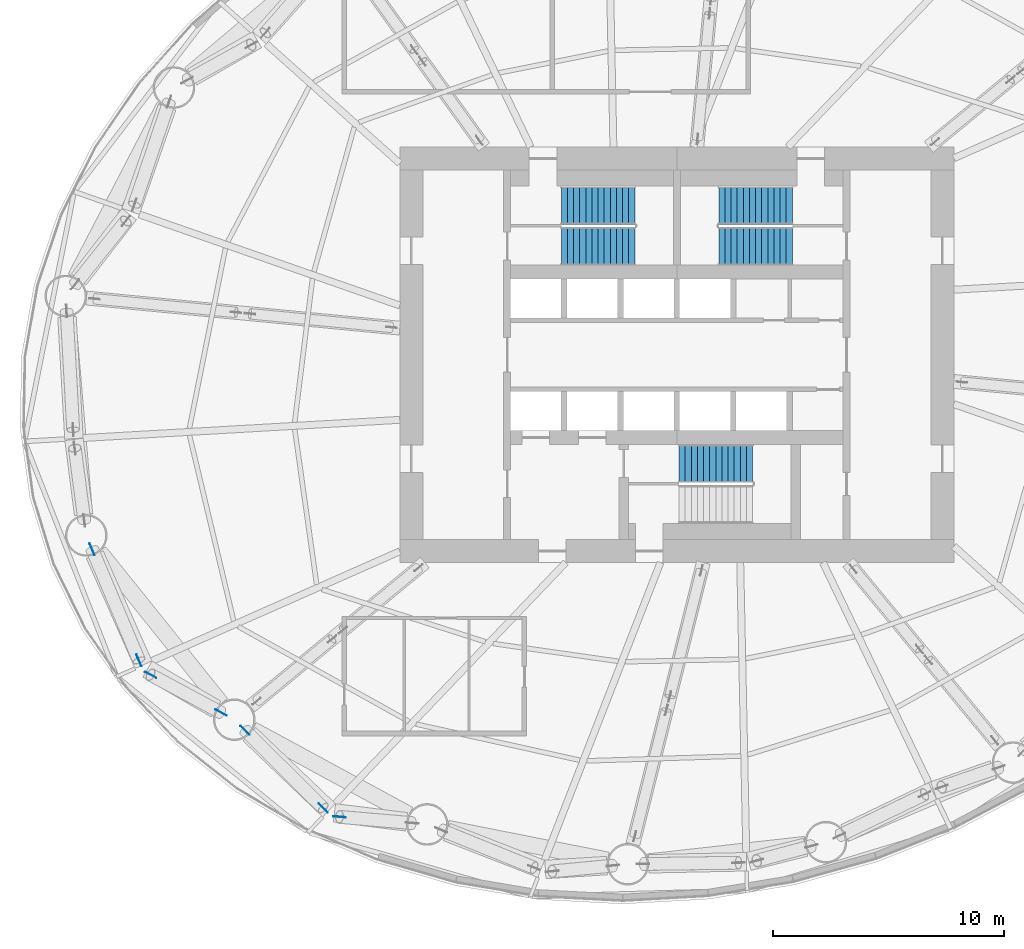
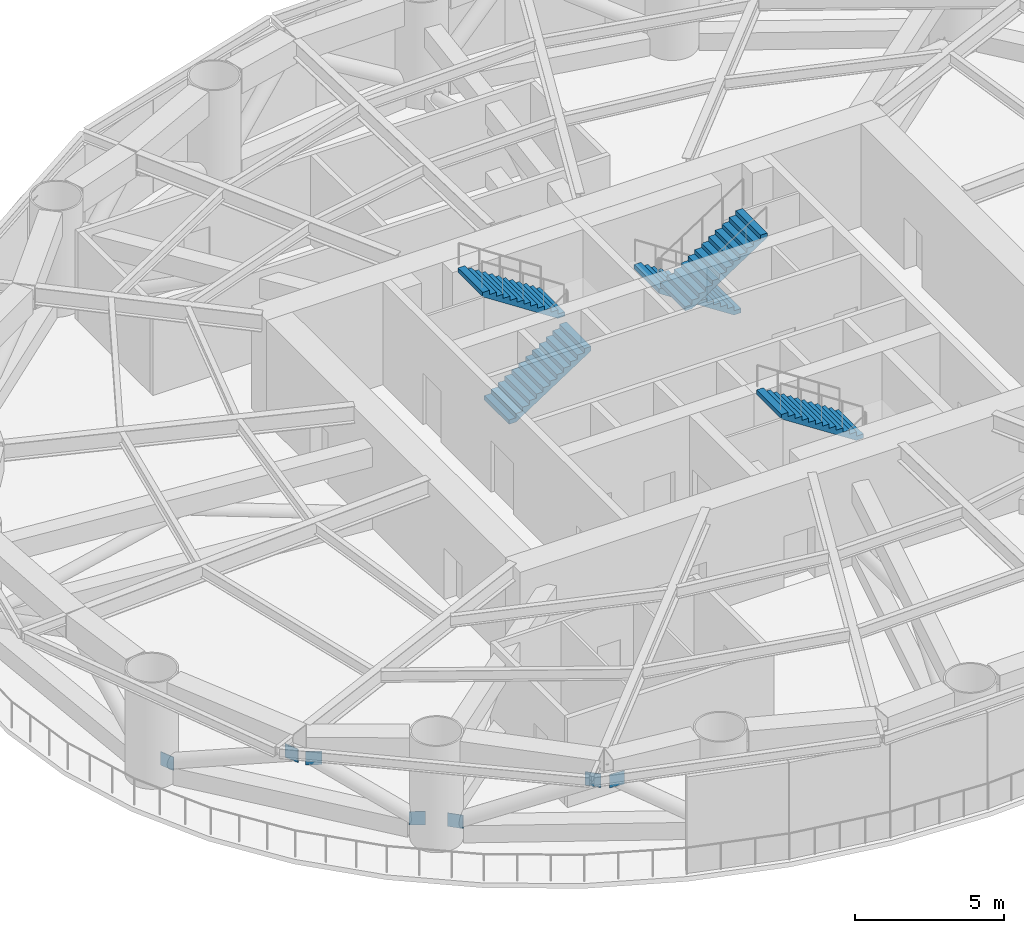
# One storey, part 7 of 15: 7 discrete accessories, 5 stair flights, 3 elements without a shape of their own.
"""IFC4 building model written with IfcOpenShell, lengths in metres."""

import ifcopenshell
import ifcopenshell.guid

model = None  # the IFC model being written
_history = None  # IfcOwnerHistory: only IFC2X3 demands one
_inside = {}  # id of a spatial element -> (the spatial element, [elements in it])
_under = {}  # id of a project, library or spatial element -> (it, [spatial elements below it])
_declared = {}  # id of a project -> (the project, [libraries it declares])
_typed = {}  # id of a type object -> (the type object, [elements of that type])
_made_of = {}  # id of a material, layer set ... -> (it, [elements and type objects made of it])


def new_model(schema):
    """Start an empty IFC model of exactly this schema.

    Asked for "IFC4X3", IfcOpenShell would pick the latest addendum, in which some entities
    have other attributes; the version numbers below select the first issue.
    IFC2X3 requires an IfcOwnerHistory on every rooted entity: one is made here for all.
    """
    global model, _history
    if schema == "IFC4X3":
        model = ifcopenshell.file(schema_version=(4, 3, 0, 0))
    else:
        model = ifcopenshell.file(schema=schema)
    _inside.clear()
    _under.clear()
    _declared.clear()
    _typed.clear()
    _made_of.clear()
    _history = None
    if model.schema == "IFC2X3":
        org = make("IfcOrganization", Name="unknown")
        user = make(
            "IfcPersonAndOrganization",
            ThePerson=make("IfcPerson", FamilyName="unknown"),
            TheOrganization=org,
        )
        app = make(
            "IfcApplication",
            ApplicationDeveloper=org,
            Version="unknown",
            ApplicationFullName="unknown",
            ApplicationIdentifier="unknown",
        )
        _history = make(
            "IfcOwnerHistory",
            OwningUser=user,
            OwningApplication=app,
            ChangeAction="ADDED",
            CreationDate=0,
        )
    return model


def make(cls, **values):
    """One entity of the class cls with the attributes given. An attribute that is None is left unset."""
    return model.create_entity(
        cls, **{name: value for name, value in values.items() if value is not None}
    )


def rooted(cls, **values):
    """An entity with a GlobalId (a new one), such as an element, a storey or a relation."""
    return make(cls, GlobalId=ifcopenshell.guid.new(), OwnerHistory=_history, **values)


def si_unit(unit_type, name, prefix=None):
    """IfcSIUnit, for example si_unit("LENGTHUNIT", "METRE", prefix="MILLI")."""
    return make("IfcSIUnit", UnitType=unit_type, Prefix=prefix, Name=name)


def assignment(units):
    """IfcUnitAssignment: the units of a project."""
    return None if units is None else make("IfcUnitAssignment", Units=units)


def point(xyz):
    """IfcCartesianPoint."""
    return None if xyz is None else make("IfcCartesianPoint", Coordinates=xyz)


def direction(xyz):
    """IfcDirection."""
    return None if xyz is None else make("IfcDirection", DirectionRatios=xyz)


def frame(location, z_axis=None, x_axis=None):
    """IfcAxis2Placement3D, a coordinate frame: its origin and axes. An axis left out is left unset."""
    return make(
        "IfcAxis2Placement3D",
        Location=point(location),
        Axis=direction(z_axis),
        RefDirection=direction(x_axis),
    )


def frame_2d(location, x_axis=None):
    """IfcAxis2Placement2D, a coordinate frame in the plane: its origin and x axis."""
    return make(
        "IfcAxis2Placement2D", Location=point(location), RefDirection=direction(x_axis)
    )


def origin():
    """The frame at (0, 0, 0) with its axes left unset."""
    return frame((0.0, 0.0, 0.0))


def origin_2d():
    """The frame at (0, 0) in the plane with its x axis left unset."""
    return frame_2d((0.0, 0.0))


def place(relative_to, where):
    """IfcLocalPlacement: puts the frame where relative to a parent placement (None: the world)."""
    return make(
        "IfcLocalPlacement", PlacementRelTo=relative_to, RelativePlacement=where
    )


def context(
    kind, dimensions, precision=None, world=None, true_north=None, identifier=None
):
    """IfcGeometricRepresentationContext, for example the 3D "Model" context."""
    return make(
        "IfcGeometricRepresentationContext",
        ContextIdentifier=identifier,
        ContextType=kind,
        CoordinateSpaceDimension=dimensions,
        Precision=precision,
        WorldCoordinateSystem=world,
        TrueNorth=true_north,
    )


def subcontext(parent, identifier, kind, view, scale=None):
    """IfcGeometricRepresentationSubContext, for example "Body" below "Model"."""
    return make(
        "IfcGeometricRepresentationSubContext",
        ContextIdentifier=identifier,
        ContextType=kind,
        ParentContext=parent,
        TargetScale=scale,
        TargetView=view,
    )


def project(units=None, contexts=None):
    """IfcProject with its units and contexts."""
    return rooted(
        "IfcProject",
        Name="project",
        RepresentationContexts=contexts,
        UnitsInContext=assignment(units),
    )


def spatial(cls, under=None, at=None, **own):
    """A site, building, storey or space (cls), placed at a placement, below another one or the project."""
    s = rooted(cls, ObjectPlacement=at, **own)
    if under is not None:
        _under.setdefault(under.id(), (under, []))[1].append(s)
    return s


def polyline(points):
    """IfcPolyline through the points."""
    return make("IfcPolyline", Points=[point(p) for p in points])


def profile(cls, at=None, kind="AREA", **sizes):
    """A parametric profile (cls). Its sizes go by their IFC names, for example OverallWidth=200.0."""
    return make(cls, ProfileType=kind, Position=at, **sizes)


def rectangle(**sizes):
    """IfcRectangleProfileDef."""
    return profile("IfcRectangleProfileDef", **sizes)


def outline(outer, holes=None, kind="AREA"):
    """IfcArbitraryClosedProfileDef: a profile drawn as a closed curve; with holes, ...WithVoids."""
    if holes is None:
        return make("IfcArbitraryClosedProfileDef", ProfileType=kind, OuterCurve=outer)
    return make(
        "IfcArbitraryProfileDefWithVoids",
        ProfileType=kind,
        OuterCurve=outer,
        InnerCurves=holes,
    )


def extrude(swept, where, along, depth):
    """IfcExtrudedAreaSolid: the profile swept, set in the frame where, extruded along a direction by depth."""
    return make(
        "IfcExtrudedAreaSolid",
        SweptArea=swept,
        Position=where,
        ExtrudedDirection=direction(along),
        Depth=depth,
    )


def shape(context_of_items, identifier, shape_type, items):
    """IfcShapeRepresentation: the items that make up one representation, for example the "Body"."""
    return make(
        "IfcShapeRepresentation",
        ContextOfItems=context_of_items,
        RepresentationIdentifier=identifier,
        RepresentationType=shape_type,
        Items=items,
    )


def material(Name=None, Category=None):
    """IfcMaterial."""
    return make("IfcMaterial", Name=Name, Category=Category)


def made_of(thing, what):
    """Note that an element or type object is made of a material, layer set ...; save() writes the relation."""
    if what is not None:
        _made_of.setdefault(what.id(), (what, []))[1].append(thing)
    return thing


def type_object(cls, material=None, **own):
    """A type object (cls), such as IfcWallType, which elements share."""
    return made_of(rooted(cls, **own), material)


def element(
    cls,
    number,
    at=None,
    inside=None,
    cuts=None,
    type_object=None,
    material=None,
    context=None,
    identifier="Body",
    shape_type=None,
    held_by="IfcProductDefinitionShape",
    body=None,
    shapes=None,
    **own,
):
    """One element of the class cls, such as IfcWall. Its Tag is "e" and its number.

    at: its placement. inside: the storey or other place that contains it. cuts: it is an
    opening in that element (IfcRelVoidsElement). A single representation is given by context,
    identifier, shape_type and body (its items); several are given by shapes. held_by: the class
    of the entity that holds the representations. save() writes the other relations.
    """
    e = rooted(cls, Tag="e%d" % number, ObjectPlacement=at, **own)
    if body is not None:
        shapes = [shape(context, identifier, shape_type, body)]
    if shapes is not None:
        e.Representation = make(held_by, Representations=shapes)
    if inside is not None:
        _inside.setdefault(inside.id(), (inside, []))[1].append(e)
    if cuts is not None:
        rooted(
            "IfcRelVoidsElement", RelatingBuildingElement=cuts, RelatedOpeningElement=e
        )
    if type_object is not None:
        _typed.setdefault(type_object.id(), (type_object, []))[1].append(e)
    return made_of(e, material)


def aggregate(whole, parts):
    """IfcRelAggregates: a whole, such as a stair, and the parts it consists of."""
    return rooted("IfcRelAggregates", RelatingObject=whole, RelatedObjects=parts)


def save(model, path):
    """Write the relations noted so far, then the file.

    IfcRelAggregates (storeys below a building ...), IfcRelContainedInSpatialStructure (elements
    in a storey), IfcRelDefinesByType, IfcRelAssociatesMaterial and IfcRelDeclares: one each for
    every whole, place, type object, material and project.
    """
    for whole, parts in _under.values():
        aggregate(whole, parts)
    for where, things in _inside.values():
        rooted(
            "IfcRelContainedInSpatialStructure",
            RelatedElements=things,
            RelatingStructure=where,
        )
    for kind, things in _typed.values():
        rooted("IfcRelDefinesByType", RelatedObjects=things, RelatingType=kind)
    for what, things in _made_of.values():
        rooted("IfcRelAssociatesMaterial", RelatedObjects=things, RelatingMaterial=what)
    for by, libraries in _declared.values():
        rooted("IfcRelDeclares", RelatingContext=by, RelatedDefinitions=libraries)
    model.write(path)


model = new_model("IFC4")

# Units and contexts
model_context = context("Model", 3, precision=1e-05, world=origin(), true_north=direction((0.0, 1.0)))
body_context = subcontext(model_context, "Body", "Model", "MODEL_VIEW")
ifc_project = project(units=[si_unit("LENGTHUNIT", "METRE"), si_unit("AREAUNIT", "SQUARE_METRE"), si_unit("VOLUMEUNIT", "CUBIC_METRE"), si_unit("PLANEANGLEUNIT", "RADIAN"), si_unit("MASSUNIT", "GRAM", prefix="KILO")], contexts=[model_context])

# Site, building, storey
site_placement = place(None, origin())
site = spatial("IfcSite", under=ifc_project, at=site_placement, CompositionType="ELEMENT")
building_placement = place(site_placement, origin())
building = spatial("IfcBuilding", under=site, at=building_placement, Name="Vermilion Reach Broadcast Tower", CompositionType="ELEMENT")
storey_placement = place(building_placement, frame((0.0, 0.0, 84.10009765625)))
storey = spatial("IfcBuildingStorey", under=building, at=storey_placement, Name="L18", CompositionType="ELEMENT", Elevation=84.10009765625)

# Stair, stair flights
ifc_material_1 = material(Name="Concrete C40", Category="concrete")
stair_type = type_object("IfcStairType", Name="Exit stair RC 26 risers 173 mm", PredefinedType="HALF_TURN_STAIR", material=ifc_material_1)
placement = place(storey_placement, origin())
stair_1 = element("IfcStair", 1, at=placement, inside=storey, type_object=stair_type, Name="L18 Exit stair ST1", PredefinedType="HALF_TURN_STAIR")
ifc_material_2 = material(Name="Concrete C40", Category="concrete")
stair_flight_type = type_object("IfcStairFlightType", Name="Exit stair flight RC 13 risers", PredefinedType="STRAIGHT", material=ifc_material_2)
stair_flight_1_placement = place(storey_placement, frame((-11.0, 4.7099609375, 0.0), z_axis=(0.0, 0.0, 1.0), x_axis=(1.0, 0.0, 0.0)))
stair_flight_1 = element("IfcStairFlight", 2, at=stair_flight_1_placement, type_object=stair_flight_type, Name="ST1 flight 1", NumberOfRisers=13, NumberOfTreads=12, PredefinedType="STRAIGHT", RiserHeight=0.173076923, TreadLength=0.265, context=body_context, shape_type="SweptSolid", body=[
    extrude(outline(polyline([(0.0, 0.0), (0.0, 0.173095703125), (0.264892578125, 0.173095703125), (0.264892578125, 0.34619140625), (0.530029296875, 0.34619140625), (0.530029296875, 0.519287109375), (0.794921875, 0.519287109375), (0.794921875, 0.6923828125), (1.06005859375, 0.6923828125), (1.06005859375, 0.865478515625), (1.324951171875, 0.865478515625), (1.324951171875, 1.03857421875), (1.590087890625, 1.03857421875), (1.590087890625, 1.21142578125), (1.85498046875, 1.21142578125), (1.85498046875, 1.384521484375), (2.1201171875, 1.384521484375), (2.1201171875, 1.5576171875), (2.385009765625, 1.5576171875), (2.385009765625, 1.730712890625), (2.64990234375, 1.730712890625), (2.64990234375, 1.90380859375), (2.9150390625, 1.90380859375), (2.9150390625, 2.076904296875), (3.179931640625, 2.076904296875), (3.179931640625, 2.25), (3.179931640625, 1.89794921875), (0.274169921875, 0.0), (0.0, 0.0)])), frame((0.0, 0.830078125, 0.0), z_axis=(0.0, -1.0, 0.0), x_axis=(1.0, 0.0, 0.0)), (0.0, 0.0, 1.0), 1.659912109375),
])
stair_flight_2_placement = place(storey_placement, frame((-7.820068359375, 6.469970703125, 2.25), z_axis=(0.0, 0.0, 1.0), x_axis=(-1.0, 0.0, 0.0)))
stair_flight_2 = element("IfcStairFlight", 3, at=stair_flight_2_placement, type_object=stair_flight_type, Name="ST1 flight 2", NumberOfRisers=13, NumberOfTreads=12, PredefinedType="STRAIGHT", RiserHeight=0.173076923, TreadLength=0.265, context=body_context, shape_type="SweptSolid", body=[
    extrude(outline(polyline([(0.0, 0.0), (0.0, 0.173095703125), (0.264892578125, 0.173095703125), (0.264892578125, 0.34619140625), (0.530029296875, 0.34619140625), (0.530029296875, 0.519287109375), (0.794921875, 0.519287109375), (0.794921875, 0.6923828125), (1.06005859375, 0.6923828125), (1.06005859375, 0.865478515625), (1.324951171875, 0.865478515625), (1.324951171875, 1.03857421875), (1.590087890625, 1.03857421875), (1.590087890625, 1.21142578125), (1.85498046875, 1.21142578125), (1.85498046875, 1.384521484375), (2.1201171875, 1.384521484375), (2.1201171875, 1.5576171875), (2.385009765625, 1.5576171875), (2.385009765625, 1.730712890625), (2.64990234375, 1.730712890625), (2.64990234375, 1.90380859375), (2.9150390625, 1.90380859375), (2.9150390625, 2.076904296875), (3.179931640625, 2.076904296875), (3.179931640625, 2.25), (3.179931640625, 1.89794921875), (0.274169921875, 0.0), (0.0, 0.0)])), frame((0.0, 0.830078125, 0.0), z_axis=(0.0, -1.0, 0.0), x_axis=(1.0, 0.0, 0.0)), (0.0, 0.0, 1.0), 1.659912109375),
])
aggregate(stair_1, [stair_flight_1, stair_flight_2])

stair_2 = element("IfcStair", 4, at=placement, inside=storey, type_object=stair_type, Name="L18 Exit stair ST2", PredefinedType="HALF_TURN_STAIR")
stair_flight_3_placement = place(storey_placement, frame((-1.0, 6.469970703125, 0.0), z_axis=(0.0, 0.0, 1.0), x_axis=(-1.0, 0.0, 0.0)))
stair_flight_3 = element("IfcStairFlight", 5, at=stair_flight_3_placement, type_object=stair_flight_type, Name="ST2 flight 1", NumberOfRisers=13, NumberOfTreads=12, PredefinedType="STRAIGHT", RiserHeight=0.173076923, TreadLength=0.265, context=body_context, shape_type="SweptSolid", body=[
    extrude(outline(polyline([(0.0, 0.0), (0.0, 0.173095703125), (0.264892578125, 0.173095703125), (0.264892578125, 0.34619140625), (0.530029296875, 0.34619140625), (0.530029296875, 0.519287109375), (0.794921875, 0.519287109375), (0.794921875, 0.6923828125), (1.06005859375, 0.6923828125), (1.06005859375, 0.865478515625), (1.324951171875, 0.865478515625), (1.324951171875, 1.03857421875), (1.590087890625, 1.03857421875), (1.590087890625, 1.21142578125), (1.85498046875, 1.21142578125), (1.85498046875, 1.384521484375), (2.1201171875, 1.384521484375), (2.1201171875, 1.5576171875), (2.385009765625, 1.5576171875), (2.385009765625, 1.730712890625), (2.64990234375, 1.730712890625), (2.64990234375, 1.90380859375), (2.9150390625, 1.90380859375), (2.9150390625, 2.076904296875), (3.179931640625, 2.076904296875), (3.179931640625, 2.25), (3.179931640625, 1.89794921875), (0.274169921875, 0.0), (0.0, 0.0)])), frame((0.0, 0.830078125, 0.0), z_axis=(0.0, -1.0, 0.0), x_axis=(1.0, 0.0, 0.0)), (0.0, 0.0, 1.0), 1.659912109375),
])
stair_flight_4_placement = place(storey_placement, frame((-4.179931640625, 4.7099609375, 2.25), z_axis=(0.0, 0.0, 1.0), x_axis=(1.0, 0.0, 0.0)))
stair_flight_4 = element("IfcStairFlight", 6, at=stair_flight_4_placement, type_object=stair_flight_type, Name="ST2 flight 2", NumberOfRisers=13, NumberOfTreads=12, PredefinedType="STRAIGHT", RiserHeight=0.173076923, TreadLength=0.265, context=body_context, shape_type="SweptSolid", body=[
    extrude(outline(polyline([(0.0, 0.0), (0.0, 0.173095703125), (0.264892578125, 0.173095703125), (0.264892578125, 0.34619140625), (0.530029296875, 0.34619140625), (0.530029296875, 0.519287109375), (0.794921875, 0.519287109375), (0.794921875, 0.6923828125), (1.06005859375, 0.6923828125), (1.06005859375, 0.865478515625), (1.324951171875, 0.865478515625), (1.324951171875, 1.03857421875), (1.590087890625, 1.03857421875), (1.590087890625, 1.21142578125), (1.85498046875, 1.21142578125), (1.85498046875, 1.384521484375), (2.1201171875, 1.384521484375), (2.1201171875, 1.5576171875), (2.385009765625, 1.5576171875), (2.385009765625, 1.730712890625), (2.64990234375, 1.730712890625), (2.64990234375, 1.90380859375), (2.9150390625, 1.90380859375), (2.9150390625, 2.076904296875), (3.179931640625, 2.076904296875), (3.179931640625, 2.25), (3.179931640625, 1.89794921875), (0.274169921875, 0.0), (0.0, 0.0)])), frame((0.0, 0.830078125, 0.0), z_axis=(0.0, -1.0, 0.0), x_axis=(1.0, 0.0, 0.0)), (0.0, 0.0, 1.0), 1.659912109375),
])
aggregate(stair_2, [stair_flight_3, stair_flight_4])

# Stair, stair flight
stair_3 = element("IfcStair", 7, at=placement, inside=storey, type_object=stair_type, Name="L18 Exit stair ST3", PredefinedType="HALF_TURN_STAIR")
stair_flight_5_placement = place(storey_placement, frame((-2.719970703125, -4.7099609375, 2.25), z_axis=(0.0, 0.0, 1.0), x_axis=(-1.0, 0.0, 0.0)))
stair_flight_5 = element("IfcStairFlight", 8, at=stair_flight_5_placement, type_object=stair_flight_type, Name="ST3 flight 2", NumberOfRisers=13, NumberOfTreads=12, PredefinedType="STRAIGHT", RiserHeight=0.173076923, TreadLength=0.265, context=body_context, shape_type="SweptSolid", body=[
    extrude(outline(polyline([(0.0, 0.0), (0.0, 0.173095703125), (0.264892578125, 0.173095703125), (0.264892578125, 0.34619140625), (0.530029296875, 0.34619140625), (0.530029296875, 0.519287109375), (0.794921875, 0.519287109375), (0.794921875, 0.6923828125), (1.06005859375, 0.6923828125), (1.06005859375, 0.865478515625), (1.324951171875, 0.865478515625), (1.324951171875, 1.03857421875), (1.590087890625, 1.03857421875), (1.590087890625, 1.21142578125), (1.85498046875, 1.21142578125), (1.85498046875, 1.384521484375), (2.1201171875, 1.384521484375), (2.1201171875, 1.5576171875), (2.385009765625, 1.5576171875), (2.385009765625, 1.730712890625), (2.64990234375, 1.730712890625), (2.64990234375, 1.90380859375), (2.9150390625, 1.90380859375), (2.9150390625, 2.076904296875), (3.179931640625, 2.076904296875), (3.179931640625, 2.25), (3.179931640625, 1.89794921875), (0.274169921875, 0.0), (0.0, 0.0)])), frame((0.0, 0.830078125, 0.0), z_axis=(0.0, -1.0, 0.0), x_axis=(1.0, 0.0, 0.0)), (0.0, 0.0, 1.0), 1.659912109375),
])
aggregate(stair_3, [stair_flight_5])

# Discrete accessories
for number, where, z_axis, x_axis, name in (
    (9, (-31.32275390625, -8.423095703125, 0.52490234375), (0.0, 0.0, 1.0), (0.921430281897, 0.388543737052, 0.0), "Gusset plate BT1-D09A foot"),
    (10, (-29.2939453125, -13.234619140625, 3.06494140625), (0.0, 0.0, 1.0), (0.921430281897, 0.388543737052, 0.0), "Gusset plate BT1-D09A head"),
    (11, (-25.739013671875, -15.49755859375, 0.52490234375), (0.0, 0.0, 1.0), (-0.47292431361, -0.881103055038, 0.0), "Gusset plate BT1-D09B foot"),
    (12, (-28.79296875, -13.8583984375, 3.06494140625), (0.0, 0.0, 1.0), (-0.47292431361, -0.881103055038, 0.0), "Gusset plate BT1-D09B head"),
    (13, (-24.705078125, -16.26318359375, 0.52490234375), (0.0, 0.0, 1.0), (0.704713657538, 0.709491832849, 0.0), "Gusset plate BT1-D10A foot"),
    (14, (-21.31494140625, -19.63037109375, 3.06494140625), (0.0, 0.0, 1.0), (0.704713657538, 0.709491832849, 0.0), "Gusset plate BT1-D10A head"),
    (15, (-20.61181640625, -20.011962890625, 3.06494140625), (0.0, 0.0, 1.0), (-0.085715343395, -0.99631966753, 0.0), "Gusset plate BT1-D10B head"),
):
    element("IfcDiscreteAccessory", number, at=place(storey_placement, frame(where, z_axis=z_axis, x_axis=x_axis)), inside=storey, Name=name, PredefinedType="NOTDEFINED", context=body_context, shape_type="SweptSolid", body=[
        extrude(rectangle(XDim=0.02490234375, YDim=0.550048828125, at=origin_2d()), origin(), (0.0, 0.0, 1.0), 0.550048828125),
    ])

save(model, "model.ifc")
